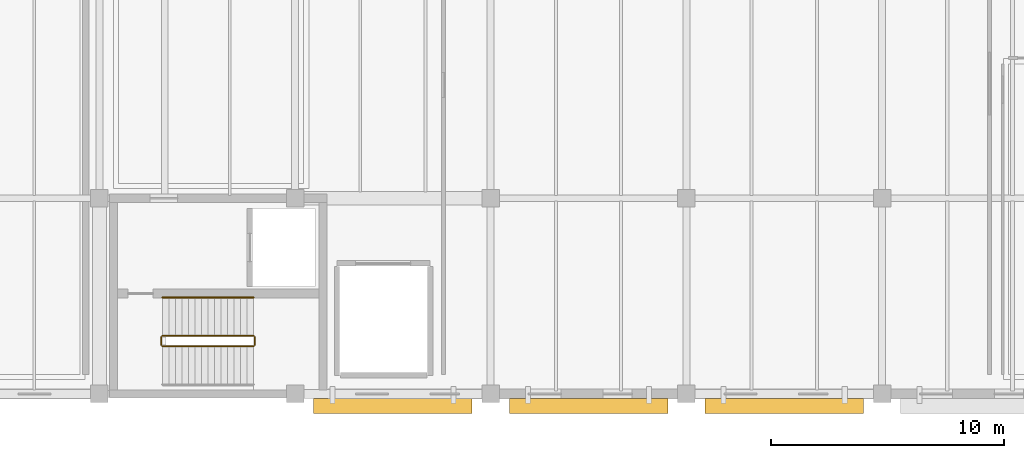
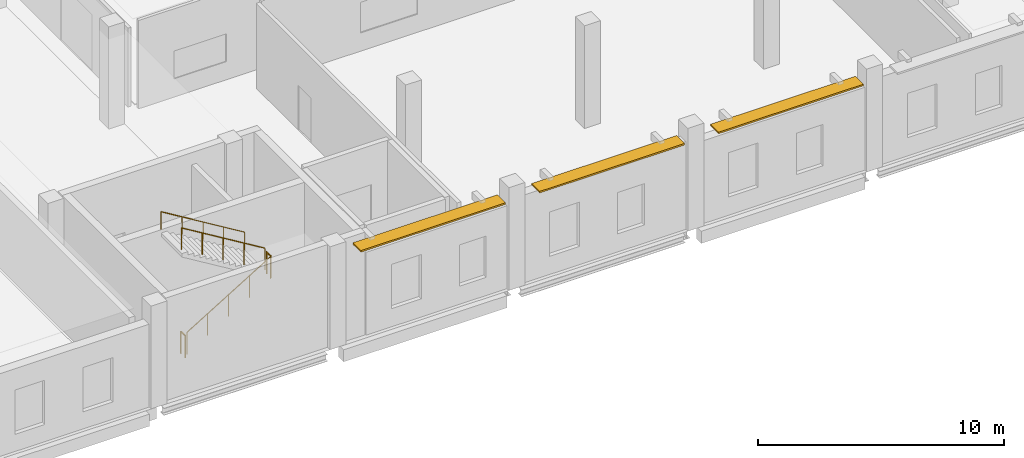
# One storey, part 74 of 77: 5 railings, 3 shading devices.
"""IFC4 building model written with IfcOpenShell, lengths in metres."""

from ifc_helpers import new_model, si_unit, direction, frame, origin, origin_2d, place, context, subcontext, project, spatial, rectangle, circle, extrude, material, layer, layer_set, type_object, element, save


model = new_model("IFC4")

# Units and contexts
model_context = context("Model", 3, precision=1e-05, world=origin(), true_north=direction((0.0, 1.0)))
body_context = subcontext(model_context, "Body", "Model", "MODEL_VIEW")
ifc_project = project(units=[si_unit("LENGTHUNIT", "METRE"), si_unit("AREAUNIT", "SQUARE_METRE"), si_unit("VOLUMEUNIT", "CUBIC_METRE"), si_unit("PLANEANGLEUNIT", "RADIAN"), si_unit("MASSUNIT", "GRAM", prefix="KILO")], contexts=[model_context])

# Site, building, storey
site_placement = place(None, origin())
site = spatial("IfcSite", under=ifc_project, at=site_placement, CompositionType="ELEMENT")
building_placement = place(site_placement, origin())
building = spatial("IfcBuilding", under=site, at=building_placement, Name="Zulmaris Art Gallery", CompositionType="ELEMENT")
storey_placement = place(building_placement, frame((0.0, 0.0, 15.60009765625)))
storey = spatial("IfcBuildingStorey", under=building, at=storey_placement, Name="L03", CompositionType="ELEMENT", Elevation=15.60009765625)

# Railings
ifc_material_1 = material(Name="Steel S355J2", Category="steel")
ifc_layer_1 = layer(ifc_material_1, 0.050048828125)
ifc_layer_set_1 = layer_set([ifc_layer_1], Name="Steel S355J2")
railing_type_1 = type_object("IfcRailingType", Name="RAIL-STGRD", PredefinedType="GUARDRAIL", material=ifc_layer_set_1)
railing_1_placement = place(storey_placement, frame((144.300048828125, 15.25, 0.169921875)))
element("IfcRailing", 1, at=railing_1_placement, inside=storey, type_object=railing_type_1, Name="L03 ST3 stair guard 1", PredefinedType="GUARDRAIL", context=body_context, shape_type="SweptSolid", body=[
    extrude(circle(Radius=0.02392578125, at=origin_2d()), frame((0.0, 0.0, 1.076171875), z_axis=(0.854794262968, 0.0, 0.518967020143), x_axis=(0.0, 1.0, 0.0)), (0.0, 0.0, 1.0), 4.585693359375),
    extrude(circle(Radius=0.02099609375, at=origin_2d()), origin(), (0.0, 0.0, 1.0), 1.052001953125),
    extrude(circle(Radius=0.02099609375, at=origin_2d()), frame((0.97998046875, 0.0, 0.594970703125)), (0.0, 0.0, 1.0), 1.052001953125),
    extrude(circle(Radius=0.02099609375, at=origin_2d()), frame((1.9599609375, 0.0, 1.18994140625)), (0.0, 0.0, 1.0), 1.052001953125),
    extrude(circle(Radius=0.02099609375, at=origin_2d()), frame((2.93994140625, 0.0, 1.784912109375)), (0.0, 0.0, 1.0), 1.052001953125),
    extrude(circle(Radius=0.02099609375, at=origin_2d()), frame((3.919921875, 0.0, 2.3798828125)), (0.0, 0.0, 1.0), 1.052001953125),
])
railing_2_placement = place(storey_placement, frame((148.27001953125, 15.300048828125, 2.5498046875)))
element("IfcRailing", 2, at=railing_2_placement, inside=storey, type_object=railing_type_1, Name="L03 ST3 stair guard 2", PredefinedType="GUARDRAIL", context=body_context, shape_type="SweptSolid", body=[
    extrude(circle(Radius=0.02392578125, at=origin_2d()), frame((0.0, 0.0, 1.076171875), z_axis=(0.0, 1.0, 0.0), x_axis=(-1.0, 0.0, 0.0)), (0.0, 0.0, 1.0), 0.33984375),
    extrude(circle(Radius=0.02099609375, at=origin_2d()), origin(), (0.0, 0.0, 1.0), 1.052001953125),
    extrude(circle(Radius=0.02099609375, at=origin_2d()), frame((0.0, 0.33984375, 0.0)), (0.0, 0.0, 1.0), 1.052001953125),
])
railing_3_placement = place(storey_placement, frame((148.219970703125, 15.68994140625, 2.719970703125)))
element("IfcRailing", 3, at=railing_3_placement, inside=storey, type_object=railing_type_1, Name="L03 ST3 stair guard 3", PredefinedType="GUARDRAIL", context=body_context, shape_type="SweptSolid", body=[
    extrude(circle(Radius=0.02392578125, at=origin_2d()), frame((0.0, 0.0, 1.076171875), z_axis=(-0.854794262968, 0.0, 0.518967020143), x_axis=(0.0, -1.0, 0.0)), (0.0, 0.0, 1.0), 4.585693359375),
    extrude(circle(Radius=0.02099609375, at=origin_2d()), origin(), (0.0, 0.0, 1.0), 1.052001953125),
    extrude(circle(Radius=0.02099609375, at=origin_2d()), frame((-0.97998046875, 0.0, 0.594970703125)), (0.0, 0.0, 1.0), 1.052001953125),
    extrude(circle(Radius=0.02099609375, at=origin_2d()), frame((-1.9599609375, 0.0, 1.18994140625)), (0.0, 0.0, 1.0), 1.052001953125),
    extrude(circle(Radius=0.02099609375, at=origin_2d()), frame((-2.93994140625, 0.0, 1.784912109375)), (0.0, 0.0, 1.0), 1.052001953125),
    extrude(circle(Radius=0.02099609375, at=origin_2d()), frame((-3.919921875, 0.0, 2.3798828125)), (0.0, 0.0, 1.0), 1.052001953125),
])
railing_4_placement = place(storey_placement, frame((144.25, 15.300048828125, 0.0)))
element("IfcRailing", 4, at=railing_4_placement, inside=storey, type_object=railing_type_1, Name="L03 ST3 stair guard 4", PredefinedType="GUARDRAIL", context=body_context, shape_type="SweptSolid", body=[
    extrude(circle(Radius=0.02392578125, at=origin_2d()), frame((0.0, 0.0, 1.076171875), z_axis=(0.0, 1.0, 0.0), x_axis=(-1.0, 0.0, 0.0)), (0.0, 0.0, 1.0), 0.33984375),
    extrude(circle(Radius=0.02099609375, at=origin_2d()), origin(), (0.0, 0.0, 1.0), 1.052001953125),
    extrude(circle(Radius=0.02099609375, at=origin_2d()), frame((0.0, 0.33984375, 0.0)), (0.0, 0.0, 1.0), 1.052001953125),
])
ifc_material_2 = material(Name="Brushed Bronze Handrail", Category="steel")
ifc_layer_2 = layer(ifc_material_2, 0.048095703125)
ifc_layer_set_2 = layer_set([ifc_layer_2], Name="Brushed Bronze Handrail")
railing_type_2 = type_object("IfcRailingType", Name="RAIL-STHND", PredefinedType="HANDRAIL", material=ifc_layer_set_2)
railing_5_placement = place(storey_placement, frame((148.219970703125, 17.340087890625, 2.719970703125)))
element("IfcRailing", 5, at=railing_5_placement, inside=storey, type_object=railing_type_2, Name="L03 ST3 stair handrail 2", PredefinedType="HANDRAIL", context=body_context, shape_type="SweptSolid", body=[
    extrude(circle(Radius=0.02392578125, at=origin_2d()), frame((0.0, 0.0, 0.8759765625), z_axis=(-0.854794262968, 0.0, 0.518967020143), x_axis=(0.0, -1.0, 0.0)), (0.0, 0.0, 1.0), 4.585693359375),
    extrude(circle(Radius=0.02099609375, at=origin_2d()), origin(), (0.0, 0.0, 1.0), 0.851806640625),
    extrude(circle(Radius=0.02099609375, at=origin_2d()), frame((-0.97998046875, 0.0, 0.594970703125)), (0.0, 0.0, 1.0), 0.851806640625),
    extrude(circle(Radius=0.02099609375, at=origin_2d()), frame((-1.9599609375, 0.0, 1.18994140625)), (0.0, 0.0, 1.0), 0.851806640625),
    extrude(circle(Radius=0.02099609375, at=origin_2d()), frame((-2.93994140625, 0.0, 1.784912109375)), (0.0, 0.0, 1.0), 0.851806640625),
    extrude(circle(Radius=0.02099609375, at=origin_2d()), frame((-3.919921875, 0.0, 2.3798828125)), (0.0, 0.0, 1.0), 0.851806640625),
])

# Shading devices
ifc_material_3 = material(Name="Anodised Bronze Sunshade Louvre", Category="aluminium")
ifc_layer_3 = layer(ifc_material_3, 0.080078125)
ifc_layer_set_3 = layer_set([ifc_layer_3], Name="Anodised Bronze Sunshade Louvre")
shading_device_type = type_object("IfcShadingDeviceType", Name="SHD-03", PredefinedType="JALOUSIE", material=ifc_layer_set_3)
for number, where, z_axis, x_axis, name in (
    (6, (154.199951171875, 12.679931640625, 4.7099609375), (0.0, 0.0, 1.0), (1.0, 0.0, 0.0), "L03 South facade bronze solar louvre 1"),
    (7, (162.60009765625, 12.679931640625, 4.7099609375), (0.0, 0.0, 1.0), (1.0, 0.0, 0.0), "L03 South facade bronze solar louvre 2"),
    (8, (171.0, 12.679931640625, 4.7099609375), (0.0, 0.0, 1.0), (1.0, 0.0, 0.0), "L03 South facade bronze solar louvre 3"),
):
    element("IfcShadingDevice", number, at=place(storey_placement, frame(where, z_axis=z_axis, x_axis=x_axis)), inside=storey, type_object=shading_device_type, Name=name, PredefinedType="JALOUSIE", context=body_context, shape_type="SweptSolid", body=[
        extrude(rectangle(XDim=6.800048828125, YDim=0.64990234375, at=origin_2d()), origin(), (0.0, 0.0, 1.0), 0.080078125),
    ])

save(model, "model.ifc")
